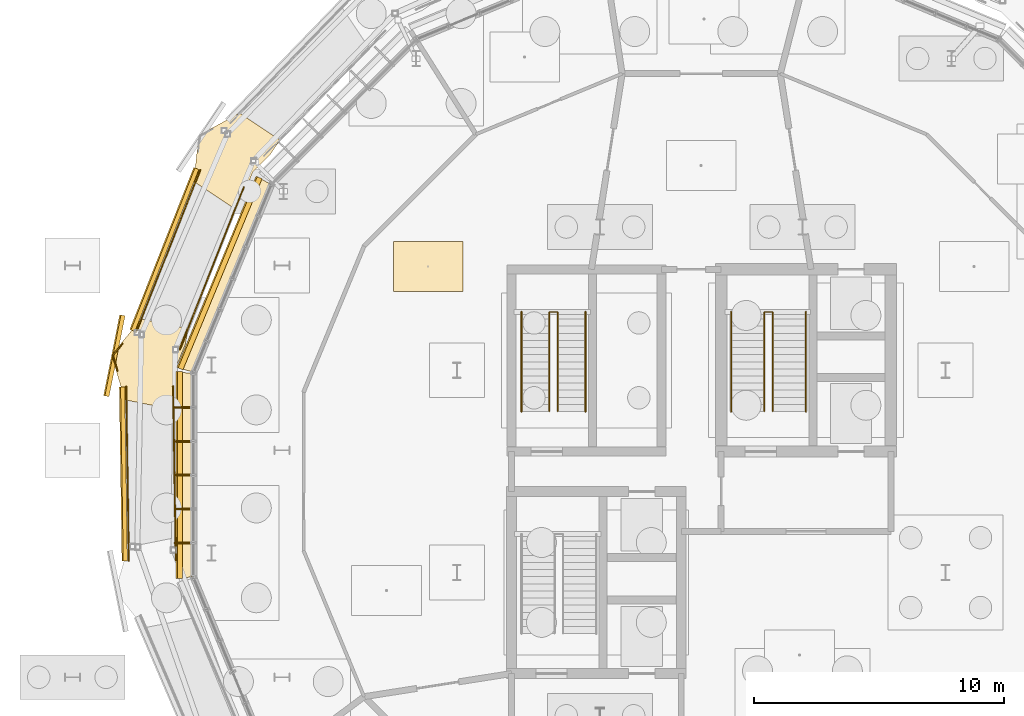
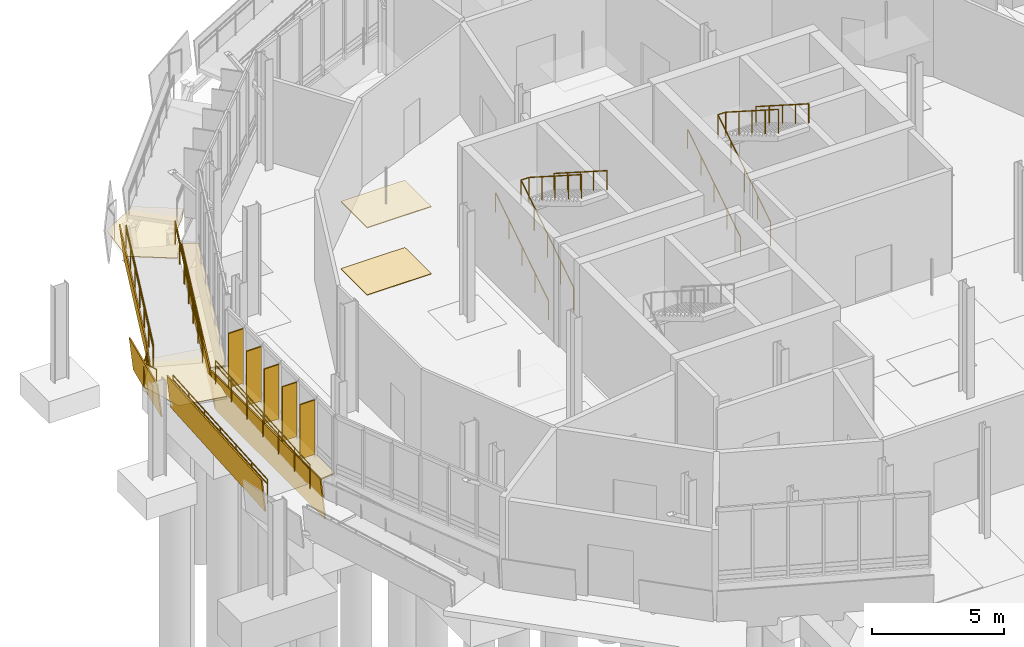
# One storey, part 112 of 119: 16 railings, 11 coverings, 5 shading devices.
"""IFC4 building model written with IfcOpenShell, lengths in metres."""

from ifc_helpers import new_model, si_unit, derived_unit, direction, frame, origin, origin_2d, place, context, subcontext, project, spatial, polyline, rectangle, circle, outline, extrude, material, layer, layer_set, type_object, element, save


model = new_model("IFC4")

# Units and contexts
model_context = context("Model", 3, precision=1e-05, world=origin(), true_north=direction((0.0, 1.0)))
body_context = subcontext(model_context, "Body", "Model", "MODEL_VIEW")
ifc_project = project(units=[si_unit("LENGTHUNIT", "METRE"), si_unit("AREAUNIT", "SQUARE_METRE"), si_unit("VOLUMEUNIT", "CUBIC_METRE"), si_unit("PLANEANGLEUNIT", "RADIAN"), si_unit("MASSUNIT", "GRAM", prefix="KILO"), derived_unit("THERMALTRANSMITTANCEUNIT", [(si_unit("MASSUNIT", "GRAM", prefix="KILO"), 1), (si_unit("TIMEUNIT", "SECOND"), -3), (si_unit("THERMODYNAMICTEMPERATUREUNIT", "KELVIN"), -1)])], contexts=[model_context])

# Site, building, storey
site_placement = place(None, origin())
site = spatial("IfcSite", under=ifc_project, at=site_placement, CompositionType="ELEMENT")
building_placement = place(site_placement, origin())
building = spatial("IfcBuilding", under=site, at=building_placement, Name="Makaiwela Harbour Ferry Terminal", CompositionType="ELEMENT")
storey_placement = place(building_placement, origin())
storey = spatial("IfcBuildingStorey", under=building, at=storey_placement, Name="L00", CompositionType="ELEMENT", Elevation=0.0)

# Coverings
ifc_material_1 = material(Name="White glazed marine ceramic rainscreen tile", Category="masonry")
ifc_layer_1 = layer(ifc_material_1, 0.054931640625)
ifc_layer_set_1 = layer_set([ifc_layer_1], Name="White glazed marine ceramic rainscreen tile")
covering_type_1 = type_object("IfcCoveringType", Name="ENV-CLD-CERAMIC", PredefinedType="CLADDING", material=ifc_layer_set_1)
covering_1_placement = place(storey_placement, frame((20.201416015625, 79.329345703125, -0.3798828125), z_axis=(0.918386678573, -0.380394597045, 0.108930524461), x_axis=(-0.382671736724, -0.923884376918, 0.0)))
element("IfcCovering", 1, at=covering_1_placement, inside=storey, type_object=covering_type_1, Name="Ceramic Spandrel Facet CLD-0011", PredefinedType="CLADDING", context=body_context, shape_type="SweptSolid", body=[
    extrude(outline(polyline([(0.0, 0.0), (8.289400120797556, -5.551115123125783e-17), (8.28948777257081, -1.911275646754667), (8.76517732554562e-05, -1.911275646754667), (0.0, 0.0)])), origin(), (0.0, 0.0, -1.0), 0.054931640625),
])
covering_2_placement = place(storey_placement, frame((0.0, 0.0, 1.47998046875)))
element("IfcCovering", 2, at=covering_2_placement, inside=storey, type_object=covering_type_1, Name="Ceramic Ring Sill Cap CLD-0012", PredefinedType="CLADDING", context=body_context, shape_type="SweptSolid", body=[
    extrude(outline(polyline([(20.009033203125, 79.408935546875), (16.8369140625, 71.75048828125), (17.465087890625, 71.57470703125), (20.57763671875, 79.08935546875), (20.009033203125, 79.408935546875)])), origin(), (0.0, 0.0, 1.0), 0.054931640625),
])
covering_3_placement = place(storey_placement, frame((17.01416015625, 71.5947265625, -0.3798828125), z_axis=(0.994046209643, 0.0, 0.108959318533), x_axis=(0.0, -1.0, 0.0)))
element("IfcCovering", 3, at=covering_3_placement, inside=storey, type_object=covering_type_1, Name="Ceramic Spandrel Facet CLD-0013", PredefinedType="CLADDING", context=body_context, shape_type="SweptSolid", body=[
    extrude(outline(polyline([(0.0, 0.0), (8.289306640625, 0.0), (8.289306640625, -1.91128171439145), (0.0, -1.91128171439145), (0.0, 0.0)])), origin(), (0.0, 0.0, -1.0), 0.054931640625),
])
covering_4_placement = place(storey_placement, frame((0.0, 0.0, 1.47998046875)))
element("IfcCovering", 4, at=covering_4_placement, inside=storey, type_object=covering_type_1, Name="Ceramic Ring Sill Cap CLD-0014", PredefinedType="CLADDING", context=body_context, shape_type="SweptSolid", body=[
    extrude(outline(polyline([(16.805908203125, 71.5947265625), (16.805908203125, 63.305419921875), (17.45361328125, 63.383056640625), (17.45361328125, 71.516845703125), (16.805908203125, 71.5947265625)])), origin(), (0.0, 0.0, 1.0), 0.054931640625),
])
covering_5_placement = place(storey_placement, frame((14.805419921875, 64.015869140625, 0.297607421875), z_axis=(0.993925826883, 0.005171012287, 0.109930483887), x_axis=(-0.015244039289, 0.995735199254, 0.090989187455)))
element("IfcCovering", 5, at=covering_5_placement, inside=storey, type_object=covering_type_1, Name="Coiled Ramp Ceramic Fascia CLD-R0011", PredefinedType="CLADDING", context=body_context, shape_type="SweptSolid", body=[
    extrude(outline(polyline([(0.0, 0.0), (7.005953916289912, 0.0), (7.144388786439108, 1.5229952741954675), (0.1381732782675002, 1.522802729682693), (0.0, 0.0)])), origin(), (0.0, 0.0, -1.0), 0.054931640625),
])
covering_6_placement = place(storey_placement, frame((14.7109375, 73.83251953125, 0.93505859375), z_axis=(0.974847808952, -0.193903350723, 0.109878296131), x_axis=(-0.195084492878, -0.980786439872, -7.88069e-07)))
element("IfcCovering", 6, at=covering_6_placement, inside=storey, type_object=covering_type_1, Name="Coiled Ramp Ceramic Fascia CLD-R0012", PredefinedType="CLADDING", context=body_context, shape_type="SweptSolid", body=[
    extrude(outline(polyline([(0.0, 0.0), (3.300220807507284, 0.0), (3.3000428184428356, -1.5292818589350756), (6.146074997400159e-05, -1.5292766258336519), (0.0, 0.0)])), origin(), (0.0, 0.0, -1.0), 0.054931640625),
])
covering_7_placement = place(storey_placement, frame((15.1025390625, 73.206787109375, 0.93505859375), z_axis=(0.920731218816, -0.374399605922, 0.109904311941), x_axis=(0.365784424676, 0.926244467638, 0.090955708089)))
element("IfcCovering", 7, at=covering_7_placement, inside=storey, type_object=covering_type_1, Name="Coiled Ramp Ceramic Fascia CLD-R0013", PredefinedType="CLADDING", context=body_context, shape_type="SweptSolid", body=[
    extrude(outline(polyline([(0.0, 0.0), (7.008560109233303, 2.220446049250313e-16), (7.146646489266032, 1.5230202552487848), (0.13822321109790445, 1.5230427912760593), (0.0, 0.0)])), origin(), (0.0, 0.0, -1.0), 0.054931640625),
])

# Shading devices
ifc_material_2 = material(Name="Marine anodised aluminium 6063-T6", Category="aluminium")
ifc_layer_2 = layer(ifc_material_2, 0.054931640625)
ifc_layer_set_2 = layer_set([ifc_layer_2], Name="Marine anodised aluminium 6063-T6")
shading_device_type = type_object("IfcShadingDeviceType", Name="ENV-FIN-650", PredefinedType="USERDEFINED", material=ifc_layer_set_2)
for number, where, z_axis, x_axis, name in (
    (8, (17.015380859375, 70.161376953125, 1.613525390625), (0.0, 0.0, 1.0), (-1.0, 0.0, 0.0), "Vertical Solar Fin SFN-0011"),
    (9, (17.015380859375, 68.8056640625, 1.613525390625), (0.0, 0.0, 1.0), (-1.0, 0.0, 0.0), "Vertical Solar Fin SFN-0012"),
    (10, (17.015380859375, 67.449951171875, 1.613525390625), (0.0, 0.0, 1.0), (-1.0, 0.0, 0.0), "Vertical Solar Fin SFN-0013"),
    (11, (17.015380859375, 66.094482421875, 1.613525390625), (0.0, 0.0, 1.0), (-1.0, 0.0, 0.0), "Vertical Solar Fin SFN-0014"),
    (12, (17.015380859375, 64.73876953125, 1.613525390625), (0.0, 0.0, 1.0), (-1.0, 0.0, 0.0), "Vertical Solar Fin SFN-0015"),
):
    element("IfcShadingDevice", number, at=place(storey_placement, frame(where, z_axis=z_axis, x_axis=x_axis)), inside=storey, type_object=shading_device_type, Name=name, ObjectType="SOLAR FIN", PredefinedType="USERDEFINED", context=body_context, shape_type="SweptSolid", body=[
        extrude(rectangle(XDim=0.64990234375, YDim=0.054931640625, at=origin_2d()), origin(), (0.0, 0.0, 1.0), 2.52001953125),
    ])

# Coverings
ifc_material_3 = material(Name="Thermally modified Accoya timber acoustic slat ceiling", Category="wood")
ifc_layer_3 = layer(ifc_material_3, 0.0400390625)
ifc_layer_set_3 = layer_set([ifc_layer_3], Name="Thermally modified Accoya timber acoustic slat ceiling")
covering_type_2 = type_object("IfcCoveringType", Name="INT-COV-CEIL", PredefinedType="CEILING", material=ifc_layer_set_3)
covering_8_placement = place(storey_placement, frame((0.0, 0.0, 3.10009765625)))
element("IfcCovering", 13, at=covering_8_placement, inside=storey, type_object=covering_type_2, Name="Acoustic Timber Ceiling CLG-003", PredefinedType="CEILING", context=body_context, shape_type="SweptSolid", body=[
    extrude(outline(polyline([(25.459228515625, 74.814697265625), (28.25927734375, 74.814697265625), (28.25927734375, 76.814697265625), (25.459228515625, 76.814697265625), (25.459228515625, 74.814697265625)])), origin(), (0.0, 0.0, 1.0), 0.039794921875),
])
ifc_material_4 = material(Name="Honed coral-aggregate epoxy terrazzo flooring", Category="concrete")
ifc_layer_4 = layer(ifc_material_4, 0.02490234375)
ifc_layer_set_4 = layer_set([ifc_layer_4], Name="Honed coral-aggregate epoxy terrazzo flooring")
covering_type_3 = type_object("IfcCoveringType", Name="INT-COV-FLR", PredefinedType="FLOORING", material=ifc_layer_set_4)
covering_9_placement = place(storey_placement, frame((0.0, 0.0, 1.27490234375)))
element("IfcCovering", 14, at=covering_9_placement, inside=storey, type_object=covering_type_3, Name="Ramp Landing Terrazzo RMP-COIL-L00-L2", PredefinedType="FLOORING", context=body_context, shape_type="SweptSolid", body=[
    extrude(outline(polyline([(16.738037109375, 70.76220703125), (16.738037109375, 71.74658203125), (16.738037109375, 71.74658203125), (16.738037109375, 71.746826171875), (16.738037109375, 71.7470703125), (16.73828125, 71.747314453125), (17.11474609375, 72.656494140625), (17.248291015625, 73.32763671875), (15.345703125, 73.706298828125), (14.17041015625, 72.257568359375), (14.701904296875, 70.469482421875), (16.6044921875, 70.091064453125), (16.738037109375, 70.76220703125)])), origin(), (0.0, 0.0, 1.0), 0.025146484375),
])
covering_10_placement = place(storey_placement, frame((0.0, 0.0, 1.91259765625)))
element("IfcCovering", 15, at=covering_10_placement, inside=storey, type_object=covering_type_3, Name="Ramp Landing Terrazzo RMP-COIL-L00-L3", PredefinedType="FLOORING", context=body_context, shape_type="SweptSolid", body=[
    extrude(outline(polyline([(19.462158203125, 78.70751953125), (19.838623046875, 79.616455078125), (19.838623046875, 79.61669921875), (19.838623046875, 79.61669921875), (19.8388671875, 79.616943359375), (19.839111328125, 79.6171875), (20.534912109375, 80.31298828125), (20.9150390625, 80.882080078125), (19.302001953125, 81.9599609375), (17.661865234375, 81.0712890625), (17.468505859375, 79.216064453125), (19.081787109375, 78.13818359375), (19.462158203125, 78.70751953125)])), origin(), (0.0, 0.0, 1.0), 0.02490234375),
])
covering_11_placement = place(storey_placement, origin())
element("IfcCovering", 16, at=covering_11_placement, inside=storey, type_object=covering_type_3, Name="Terrazzo Flooring FLG-003", PredefinedType="FLOORING", context=body_context, shape_type="SweptSolid", body=[
    extrude(outline(polyline([(25.459228515625, 74.814697265625), (28.25927734375, 74.814697265625), (28.25927734375, 76.814697265625), (25.459228515625, 76.814697265625), (25.459228515625, 74.814697265625)])), origin(), (0.0, 0.0, 1.0), 0.02490234375),
])

# Railings
ifc_material_5 = material(Name="Marine grade 316L brushed stainless steel", Category="steel")
railing_type_1 = type_object("IfcRailingType", Name="INT-RL-GRD110", PredefinedType="GUARDRAIL", material=ifc_material_5)
railing_1_placement = place(storey_placement, frame((40.325927734375, 70.0, 0.0)))
element("IfcRailing", 17, at=railing_1_placement, inside=storey, type_object=railing_type_1, Name="Stair well guardrail RL-0001", PredefinedType="GUARDRAIL", context=body_context, shape_type="SweptSolid", body=[
    extrude(circle(Radius=0.02392578125, at=origin_2d()), frame((0.0, 0.0, 1.09619140625), z_axis=(0.0, 0.842611129269, 0.538522501696), x_axis=(-1.0, 0.0, 0.0)), (0.0, 0.0, 1.0), 4.7353515625),
    extrude(circle(Radius=0.02392578125, at=origin_2d()), frame((0.0, 3.989990234375, 3.64599609375), z_axis=(1.0, 0.0, 0.0), x_axis=(0.0, 1.0, 0.0)), (0.0, 0.0, 1.0), 0.340087890625),
    extrude(circle(Radius=0.02392578125, at=origin_2d()), frame((0.340087890625, 3.989990234375, 3.64599609375), z_axis=(0.0, -0.842611129269, 0.538522501696), x_axis=(1.0, 0.0, 0.0)), (0.0, 0.0, 1.0), 4.7353515625),
    extrude(circle(Radius=0.02099609375, at=origin_2d()), origin(), (0.0, 0.0, 1.0), 1.072021484375),
    extrude(circle(Radius=0.02099609375, at=origin_2d()), frame((0.0, 0.99755859375, 0.637451171875)), (0.0, 0.0, 1.0), 1.072021484375),
    extrude(circle(Radius=0.02099609375, at=origin_2d()), frame((0.0, 1.9951171875, 1.27490234375)), (0.0, 0.0, 1.0), 1.072021484375),
    extrude(circle(Radius=0.02099609375, at=origin_2d()), frame((0.0, 2.992431640625, 1.91259765625)), (0.0, 0.0, 1.0), 1.072021484375),
    extrude(circle(Radius=0.02099609375, at=origin_2d()), frame((0.0, 3.989990234375, 2.550048828125)), (0.0, 0.0, 1.0), 1.072021484375),
    extrude(circle(Radius=0.02099609375, at=origin_2d()), frame((0.340087890625, 3.989990234375, 2.550048828125)), (0.0, 0.0, 1.0), 1.072021484375),
    extrude(circle(Radius=0.02099609375, at=origin_2d()), frame((0.340087890625, 2.992431640625, 3.1875)), (0.0, 0.0, 1.0), 1.072021484375),
    extrude(circle(Radius=0.02099609375, at=origin_2d()), frame((0.340087890625, 1.9951171875, 3.8251953125)), (0.0, 0.0, 1.0), 1.072021484375),
    extrude(circle(Radius=0.02099609375, at=origin_2d()), frame((0.340087890625, 0.99755859375, 4.462646484375)), (0.0, 0.0, 1.0), 1.072021484375),
    extrude(circle(Radius=0.02099609375, at=origin_2d()), frame((0.340087890625, 0.0, 5.10009765625)), (0.0, 0.0, 1.0), 1.072021484375),
])
railing_2_placement = place(storey_placement, frame((31.7099609375, 70.0, 0.0)))
element("IfcRailing", 18, at=railing_2_placement, inside=storey, type_object=railing_type_1, Name="Stair well guardrail RL-0041", PredefinedType="GUARDRAIL", context=body_context, shape_type="SweptSolid", body=[
    extrude(circle(Radius=0.02392578125, at=origin_2d()), frame((0.0, 0.0, 1.09619140625), z_axis=(0.0, 0.842611129269, 0.538522501696), x_axis=(-1.0, 0.0, 0.0)), (0.0, 0.0, 1.0), 4.7353515625),
    extrude(circle(Radius=0.02392578125, at=origin_2d()), frame((0.0, 3.989990234375, 3.64599609375), z_axis=(1.0, 0.0, 0.0), x_axis=(0.0, 1.0, 0.0)), (0.0, 0.0, 1.0), 0.340087890625),
    extrude(circle(Radius=0.02392578125, at=origin_2d()), frame((0.340087890625, 3.989990234375, 3.64599609375), z_axis=(0.0, -0.842611129269, 0.538522501696), x_axis=(1.0, 0.0, 0.0)), (0.0, 0.0, 1.0), 4.7353515625),
    extrude(circle(Radius=0.02099609375, at=origin_2d()), origin(), (0.0, 0.0, 1.0), 1.072021484375),
    extrude(circle(Radius=0.02099609375, at=origin_2d()), frame((0.0, 0.99755859375, 0.637451171875)), (0.0, 0.0, 1.0), 1.072021484375),
    extrude(circle(Radius=0.02099609375, at=origin_2d()), frame((0.0, 1.9951171875, 1.27490234375)), (0.0, 0.0, 1.0), 1.072021484375),
    extrude(circle(Radius=0.02099609375, at=origin_2d()), frame((0.0, 2.992431640625, 1.91259765625)), (0.0, 0.0, 1.0), 1.072021484375),
    extrude(circle(Radius=0.02099609375, at=origin_2d()), frame((0.0, 3.989990234375, 2.550048828125)), (0.0, 0.0, 1.0), 1.072021484375),
    extrude(circle(Radius=0.02099609375, at=origin_2d()), frame((0.340087890625, 3.989990234375, 2.550048828125)), (0.0, 0.0, 1.0), 1.072021484375),
    extrude(circle(Radius=0.02099609375, at=origin_2d()), frame((0.340087890625, 2.992431640625, 3.1875)), (0.0, 0.0, 1.0), 1.072021484375),
    extrude(circle(Radius=0.02099609375, at=origin_2d()), frame((0.340087890625, 1.9951171875, 3.8251953125)), (0.0, 0.0, 1.0), 1.072021484375),
    extrude(circle(Radius=0.02099609375, at=origin_2d()), frame((0.340087890625, 0.99755859375, 4.462646484375)), (0.0, 0.0, 1.0), 1.072021484375),
    extrude(circle(Radius=0.02099609375, at=origin_2d()), frame((0.340087890625, 0.0, 5.10009765625)), (0.0, 0.0, 1.0), 1.072021484375),
])
railing_3_placement = place(storey_placement, frame((16.7421875, 64.04541015625, 0.637451171875)))
element("IfcRailing", 19, at=railing_3_placement, inside=storey, type_object=railing_type_1, Name="Ramp guardrail RL-0109", PredefinedType="GUARDRAIL", context=body_context, shape_type="SweptSolid", body=[
    extrude(circle(Radius=0.02392578125, at=origin_2d()), frame((0.0, 0.0, 1.09619140625), z_axis=(-0.015263245378, 0.995735099146, 0.0909870632), x_axis=(-0.999882537397, -0.015326819885, 0.0)), (0.0, 0.0, 1.0), 7.005859375),
    extrude(circle(Radius=0.02099609375, at=origin_2d()), origin(), (0.0, 0.0, 1.0), 1.072021484375),
    extrude(circle(Radius=0.02099609375, at=origin_2d()), frame((-0.017822265625, 1.16259765625, 0.106201171875)), (0.0, 0.0, 1.0), 1.072021484375),
    extrude(circle(Radius=0.02099609375, at=origin_2d()), frame((-0.03564453125, 2.325439453125, 0.21240234375)), (0.0, 0.0, 1.0), 1.072021484375),
    extrude(circle(Radius=0.02099609375, at=origin_2d()), frame((-0.053466796875, 3.488037109375, 0.31884765625)), (0.0, 0.0, 1.0), 1.072021484375),
    extrude(circle(Radius=0.02099609375, at=origin_2d()), frame((-0.0712890625, 4.650634765625, 0.425048828125)), (0.0, 0.0, 1.0), 1.072021484375),
    extrude(circle(Radius=0.02099609375, at=origin_2d()), frame((-0.089111328125, 5.8134765625, 0.53125)), (0.0, 0.0, 1.0), 1.072021484375),
    extrude(circle(Radius=0.02099609375, at=origin_2d()), frame((-0.10693359375, 6.97607421875, 0.637451171875)), (0.0, 0.0, 1.0), 1.072021484375),
])
railing_4_placement = place(storey_placement, frame((14.8623046875, 64.0166015625, 0.637451171875)))
element("IfcRailing", 20, at=railing_4_placement, inside=storey, type_object=railing_type_1, Name="Ramp guardrail RL-0111", PredefinedType="GUARDRAIL", context=body_context, shape_type="SweptSolid", body=[
    extrude(circle(Radius=0.02392578125, at=origin_2d()), frame((0.0, 0.0, 1.09619140625), z_axis=(-0.015227877484, 0.995735924718, 0.090983954486), x_axis=(-0.999883081232, -0.015291300315, 0.0)), (0.0, 0.0, 1.0), 7.006103515625),
    extrude(circle(Radius=0.02099609375, at=origin_2d()), origin(), (0.0, 0.0, 1.0), 1.072021484375),
    extrude(circle(Radius=0.02099609375, at=origin_2d()), frame((-0.017822265625, 1.16259765625, 0.106201171875)), (0.0, 0.0, 1.0), 1.072021484375),
    extrude(circle(Radius=0.02099609375, at=origin_2d()), frame((-0.03564453125, 2.325439453125, 0.21240234375)), (0.0, 0.0, 1.0), 1.072021484375),
    extrude(circle(Radius=0.02099609375, at=origin_2d()), frame((-0.05322265625, 3.48828125, 0.31884765625)), (0.0, 0.0, 1.0), 1.072021484375),
    extrude(circle(Radius=0.02099609375, at=origin_2d()), frame((-0.071044921875, 4.65087890625, 0.425048828125)), (0.0, 0.0, 1.0), 1.072021484375),
    extrude(circle(Radius=0.02099609375, at=origin_2d()), frame((-0.0888671875, 5.8134765625, 0.53125)), (0.0, 0.0, 1.0), 1.072021484375),
    extrude(circle(Radius=0.02099609375, at=origin_2d()), frame((-0.106689453125, 6.976318359375, 0.637451171875)), (0.0, 0.0, 1.0), 1.072021484375),
])
railing_5_placement = place(storey_placement, frame((16.904052734375, 72.495361328125, 1.27490234375)))
element("IfcRailing", 21, at=railing_5_placement, inside=storey, type_object=railing_type_1, Name="Ramp guardrail RL-0113", PredefinedType="GUARDRAIL", context=body_context, shape_type="SweptSolid", body=[
    extrude(circle(Radius=0.02392578125, at=origin_2d()), frame((0.0, 0.0, 1.09619140625), z_axis=(0.365804472158, 0.92623322638, 0.090989551593), x_axis=(-0.930091387607, 0.367328205696, 0.0)), (0.0, 0.0, 1.0), 7.008544921875),
    extrude(circle(Radius=0.02099609375, at=origin_2d()), origin(), (0.0, 0.0, 1.0), 1.072021484375),
    extrude(circle(Radius=0.02099609375, at=origin_2d()), frame((0.42724609375, 1.08203125, 0.106201171875)), (0.0, 0.0, 1.0), 1.072021484375),
    extrude(circle(Radius=0.02099609375, at=origin_2d()), frame((0.8544921875, 2.163818359375, 0.212646484375)), (0.0, 0.0, 1.0), 1.072021484375),
    extrude(circle(Radius=0.02099609375, at=origin_2d()), frame((1.28173828125, 3.24560546875, 0.31884765625)), (0.0, 0.0, 1.0), 1.072021484375),
    extrude(circle(Radius=0.02099609375, at=origin_2d()), frame((1.709228515625, 4.32763671875, 0.425048828125)), (0.0, 0.0, 1.0), 1.072021484375),
    extrude(circle(Radius=0.02099609375, at=origin_2d()), frame((2.136474609375, 5.40966796875, 0.531494140625)), (0.0, 0.0, 1.0), 1.072021484375),
    extrude(circle(Radius=0.02099609375, at=origin_2d()), frame((2.563720703125, 6.491455078125, 0.6376953125)), (0.0, 0.0, 1.0), 1.072021484375),
])
railing_6_placement = place(storey_placement, frame((15.155517578125, 73.18603515625, 1.27490234375)))
element("IfcRailing", 22, at=railing_6_placement, inside=storey, type_object=railing_type_1, Name="Ramp guardrail RL-0115", PredefinedType="GUARDRAIL", context=body_context, shape_type="SweptSolid", body=[
    extrude(circle(Radius=0.02392578125, at=origin_2d()), frame((0.0, 0.0, 1.09619140625), z_axis=(0.365774297778, 0.926245028916, 0.090990711028), x_axis=(-0.930103338248, 0.367297944699, 0.0)), (0.0, 0.0, 1.0), 7.00830078125),
    extrude(circle(Radius=0.02099609375, at=origin_2d()), origin(), (0.0, 0.0, 1.0), 1.072021484375),
    extrude(circle(Radius=0.02099609375, at=origin_2d()), frame((0.42724609375, 1.08203125, 0.106201171875)), (0.0, 0.0, 1.0), 1.072021484375),
    extrude(circle(Radius=0.02099609375, at=origin_2d()), frame((0.8544921875, 2.163818359375, 0.212646484375)), (0.0, 0.0, 1.0), 1.072021484375),
    extrude(circle(Radius=0.02099609375, at=origin_2d()), frame((1.28173828125, 3.24560546875, 0.31884765625)), (0.0, 0.0, 1.0), 1.072021484375),
    extrude(circle(Radius=0.02099609375, at=origin_2d()), frame((1.708984375, 4.32763671875, 0.425048828125)), (0.0, 0.0, 1.0), 1.072021484375),
    extrude(circle(Radius=0.02099609375, at=origin_2d()), frame((2.13623046875, 5.40966796875, 0.531494140625)), (0.0, 0.0, 1.0), 1.072021484375),
    extrude(circle(Radius=0.02099609375, at=origin_2d()), frame((2.5634765625, 6.491455078125, 0.6376953125)), (0.0, 0.0, 1.0), 1.072021484375),
])
railing_7_placement = place(storey_placement, frame((14.22021484375, 72.247802734375, 1.27490234375)))
element("IfcRailing", 23, at=railing_7_placement, inside=storey, type_object=railing_type_1, Name="Deck edge guardrail RL-0245", PredefinedType="GUARDRAIL", context=body_context, shape_type="SweptSolid", body=[
    extrude(circle(Radius=0.02392578125, at=origin_2d()), frame((0.0, 0.0, 1.09619140625), z_axis=(0.630269009734, 0.776376825626, 0.0), x_axis=(-0.776376825626, 0.630269009734, 0.0)), (0.0, 0.0, 1.0), 0.596435546875),
    extrude(circle(Radius=0.02099609375, at=origin_2d()), origin(), (0.0, 0.0, 1.0), 1.072021484375),
    extrude(circle(Radius=0.02099609375, at=origin_2d()), frame((0.3759765625, 0.463134765625, 0.0)), (0.0, 0.0, 1.0), 1.072021484375),
])
railing_8_placement = place(storey_placement, frame((14.402099609375, 71.636474609375, 1.27490234375)))
element("IfcRailing", 24, at=railing_8_placement, inside=storey, type_object=railing_type_1, Name="Deck edge guardrail RL-0246", PredefinedType="GUARDRAIL", context=body_context, shape_type="SweptSolid", body=[
    extrude(circle(Radius=0.02392578125, at=origin_2d()), frame((0.0, 0.0, 1.09619140625), z_axis=(-0.285169871823, 0.958476992006, 0.0), x_axis=(-0.958476992006, -0.285169871823, 0.0)), (0.0, 0.0, 1.0), 0.6376953125),
    extrude(circle(Radius=0.02099609375, at=origin_2d()), origin(), (0.0, 0.0, 1.0), 1.072021484375),
    extrude(circle(Radius=0.02099609375, at=origin_2d()), frame((-0.181884765625, 0.611328125, 0.0)), (0.0, 0.0, 1.0), 1.072021484375),
])
railing_type_2 = type_object("IfcRailingType", Name="INT-RL-HND090", PredefinedType="HANDRAIL", material=ifc_material_5)
railing_9_placement = place(storey_placement, frame((39.0, 70.0, 0.0)))
element("IfcRailing", 25, at=railing_9_placement, inside=storey, type_object=railing_type_2, Name="Stair wall handrail RL-0003", PredefinedType="HANDRAIL", context=body_context, shape_type="SweptSolid", body=[
    extrude(circle(Radius=0.02392578125, at=origin_2d()), frame((0.0, 0.0, 0.89111328125), z_axis=(0.0, 0.842611129269, 0.538522501696), x_axis=(-1.0, 0.0, 0.0)), (0.0, 0.0, 1.0), 4.7353515625),
    extrude(circle(Radius=0.02099609375, at=origin_2d()), origin(), (0.0, 0.0, 1.0), 0.866943359375),
    extrude(circle(Radius=0.02099609375, at=origin_2d()), frame((0.0, 0.99755859375, 0.637451171875)), (0.0, 0.0, 1.0), 0.866943359375),
    extrude(circle(Radius=0.02099609375, at=origin_2d()), frame((0.0, 1.9951171875, 1.27490234375)), (0.0, 0.0, 1.0), 0.866943359375),
    extrude(circle(Radius=0.02099609375, at=origin_2d()), frame((0.0, 2.992431640625, 1.91259765625)), (0.0, 0.0, 1.0), 0.866943359375),
    extrude(circle(Radius=0.02099609375, at=origin_2d()), frame((0.0, 3.989990234375, 2.550048828125)), (0.0, 0.0, 1.0), 0.866943359375),
])
railing_10_placement = place(storey_placement, frame((41.991943359375, 73.989990234375, 2.550048828125)))
element("IfcRailing", 26, at=railing_10_placement, inside=storey, type_object=railing_type_2, Name="Stair upper handrail RL-0004", PredefinedType="HANDRAIL", context=body_context, shape_type="SweptSolid", body=[
    extrude(circle(Radius=0.02392578125, at=origin_2d()), frame((0.0, 0.0, 0.89111328125), z_axis=(0.0, -0.842611129269, 0.538522501696), x_axis=(1.0, 0.0, 0.0)), (0.0, 0.0, 1.0), 4.7353515625),
    extrude(circle(Radius=0.02099609375, at=origin_2d()), origin(), (0.0, 0.0, 1.0), 0.866943359375),
    extrude(circle(Radius=0.02099609375, at=origin_2d()), frame((0.0, -0.99755859375, 0.637451171875)), (0.0, 0.0, 1.0), 0.866943359375),
    extrude(circle(Radius=0.02099609375, at=origin_2d()), frame((0.0, -1.9951171875, 1.27490234375)), (0.0, 0.0, 1.0), 0.866943359375),
    extrude(circle(Radius=0.02099609375, at=origin_2d()), frame((0.0, -2.992431640625, 1.91259765625)), (0.0, 0.0, 1.0), 0.866943359375),
    extrude(circle(Radius=0.02099609375, at=origin_2d()), frame((0.0, -3.989990234375, 2.550048828125)), (0.0, 0.0, 1.0), 0.866943359375),
])
railing_11_placement = place(storey_placement, frame((30.60009765625, 70.0, 0.0)))
element("IfcRailing", 27, at=railing_11_placement, inside=storey, type_object=railing_type_2, Name="Stair wall handrail RL-0043", PredefinedType="HANDRAIL", context=body_context, shape_type="SweptSolid", body=[
    extrude(circle(Radius=0.02392578125, at=origin_2d()), frame((0.0, 0.0, 0.89111328125), z_axis=(0.0, 0.842611129269, 0.538522501696), x_axis=(-1.0, 0.0, 0.0)), (0.0, 0.0, 1.0), 4.7353515625),
    extrude(circle(Radius=0.02099609375, at=origin_2d()), origin(), (0.0, 0.0, 1.0), 0.866943359375),
    extrude(circle(Radius=0.02099609375, at=origin_2d()), frame((0.0, 0.99755859375, 0.637451171875)), (0.0, 0.0, 1.0), 0.866943359375),
    extrude(circle(Radius=0.02099609375, at=origin_2d()), frame((0.0, 1.9951171875, 1.27490234375)), (0.0, 0.0, 1.0), 0.866943359375),
    extrude(circle(Radius=0.02099609375, at=origin_2d()), frame((0.0, 2.992431640625, 1.91259765625)), (0.0, 0.0, 1.0), 0.866943359375),
    extrude(circle(Radius=0.02099609375, at=origin_2d()), frame((0.0, 3.989990234375, 2.550048828125)), (0.0, 0.0, 1.0), 0.866943359375),
])
railing_12_placement = place(storey_placement, frame((33.159912109375, 73.989990234375, 2.550048828125)))
element("IfcRailing", 28, at=railing_12_placement, inside=storey, type_object=railing_type_2, Name="Stair upper handrail RL-0044", PredefinedType="HANDRAIL", context=body_context, shape_type="SweptSolid", body=[
    extrude(circle(Radius=0.02392578125, at=origin_2d()), frame((0.0, 0.0, 0.89111328125), z_axis=(0.0, -0.842611129269, 0.538522501696), x_axis=(1.0, 0.0, 0.0)), (0.0, 0.0, 1.0), 4.7353515625),
    extrude(circle(Radius=0.02099609375, at=origin_2d()), origin(), (0.0, 0.0, 1.0), 0.866943359375),
    extrude(circle(Radius=0.02099609375, at=origin_2d()), frame((0.0, -0.99755859375, 0.637451171875)), (0.0, 0.0, 1.0), 0.866943359375),
    extrude(circle(Radius=0.02099609375, at=origin_2d()), frame((0.0, -1.9951171875, 1.27490234375)), (0.0, 0.0, 1.0), 0.866943359375),
    extrude(circle(Radius=0.02099609375, at=origin_2d()), frame((0.0, -2.992431640625, 1.91259765625)), (0.0, 0.0, 1.0), 0.866943359375),
    extrude(circle(Radius=0.02099609375, at=origin_2d()), frame((0.0, -3.989990234375, 2.550048828125)), (0.0, 0.0, 1.0), 0.866943359375),
])
railing_13_placement = place(storey_placement, frame((16.7421875, 64.04541015625, 0.637451171875)))
element("IfcRailing", 29, at=railing_13_placement, inside=storey, type_object=railing_type_2, Name="Ramp handrail RL-0110", PredefinedType="HANDRAIL", context=body_context, shape_type="SweptSolid", body=[
    extrude(circle(Radius=0.02392578125, at=origin_2d()), frame((0.0, 0.0, 0.89111328125), z_axis=(-0.015263245378, 0.995735099146, 0.0909870632), x_axis=(-0.999882537397, -0.015326819885, 0.0)), (0.0, 0.0, 1.0), 7.005859375),
    extrude(circle(Radius=0.02099609375, at=origin_2d()), origin(), (0.0, 0.0, 1.0), 0.866943359375),
    extrude(circle(Radius=0.02099609375, at=origin_2d()), frame((-0.017822265625, 1.16259765625, 0.106201171875)), (0.0, 0.0, 1.0), 0.866943359375),
    extrude(circle(Radius=0.02099609375, at=origin_2d()), frame((-0.03564453125, 2.325439453125, 0.21240234375)), (0.0, 0.0, 1.0), 0.866943359375),
    extrude(circle(Radius=0.02099609375, at=origin_2d()), frame((-0.053466796875, 3.488037109375, 0.31884765625)), (0.0, 0.0, 1.0), 0.866943359375),
    extrude(circle(Radius=0.02099609375, at=origin_2d()), frame((-0.0712890625, 4.650634765625, 0.425048828125)), (0.0, 0.0, 1.0), 0.866943359375),
    extrude(circle(Radius=0.02099609375, at=origin_2d()), frame((-0.089111328125, 5.8134765625, 0.53125)), (0.0, 0.0, 1.0), 0.866943359375),
    extrude(circle(Radius=0.02099609375, at=origin_2d()), frame((-0.10693359375, 6.97607421875, 0.637451171875)), (0.0, 0.0, 1.0), 0.866943359375),
])
railing_14_placement = place(storey_placement, frame((14.8623046875, 64.0166015625, 0.637451171875)))
element("IfcRailing", 30, at=railing_14_placement, inside=storey, type_object=railing_type_2, Name="Ramp handrail RL-0112", PredefinedType="HANDRAIL", context=body_context, shape_type="SweptSolid", body=[
    extrude(circle(Radius=0.02392578125, at=origin_2d()), frame((0.0, 0.0, 0.89111328125), z_axis=(-0.015227877484, 0.995735924718, 0.090983954486), x_axis=(-0.999883081232, -0.015291300315, 0.0)), (0.0, 0.0, 1.0), 7.006103515625),
    extrude(circle(Radius=0.02099609375, at=origin_2d()), origin(), (0.0, 0.0, 1.0), 0.866943359375),
    extrude(circle(Radius=0.02099609375, at=origin_2d()), frame((-0.017822265625, 1.16259765625, 0.106201171875)), (0.0, 0.0, 1.0), 0.866943359375),
    extrude(circle(Radius=0.02099609375, at=origin_2d()), frame((-0.03564453125, 2.325439453125, 0.21240234375)), (0.0, 0.0, 1.0), 0.866943359375),
    extrude(circle(Radius=0.02099609375, at=origin_2d()), frame((-0.05322265625, 3.48828125, 0.31884765625)), (0.0, 0.0, 1.0), 0.866943359375),
    extrude(circle(Radius=0.02099609375, at=origin_2d()), frame((-0.071044921875, 4.65087890625, 0.425048828125)), (0.0, 0.0, 1.0), 0.866943359375),
    extrude(circle(Radius=0.02099609375, at=origin_2d()), frame((-0.0888671875, 5.8134765625, 0.53125)), (0.0, 0.0, 1.0), 0.866943359375),
    extrude(circle(Radius=0.02099609375, at=origin_2d()), frame((-0.106689453125, 6.976318359375, 0.637451171875)), (0.0, 0.0, 1.0), 0.866943359375),
])
railing_15_placement = place(storey_placement, frame((16.904052734375, 72.495361328125, 1.27490234375)))
element("IfcRailing", 31, at=railing_15_placement, inside=storey, type_object=railing_type_2, Name="Ramp handrail RL-0114", PredefinedType="HANDRAIL", context=body_context, shape_type="SweptSolid", body=[
    extrude(circle(Radius=0.02392578125, at=origin_2d()), frame((0.0, 0.0, 0.89111328125), z_axis=(0.365804472158, 0.92623322638, 0.090989551593), x_axis=(-0.930091387607, 0.367328205696, 0.0)), (0.0, 0.0, 1.0), 7.008544921875),
    extrude(circle(Radius=0.02099609375, at=origin_2d()), origin(), (0.0, 0.0, 1.0), 0.866943359375),
    extrude(circle(Radius=0.02099609375, at=origin_2d()), frame((0.42724609375, 1.08203125, 0.106201171875)), (0.0, 0.0, 1.0), 0.866943359375),
    extrude(circle(Radius=0.02099609375, at=origin_2d()), frame((0.8544921875, 2.163818359375, 0.212646484375)), (0.0, 0.0, 1.0), 0.866943359375),
    extrude(circle(Radius=0.02099609375, at=origin_2d()), frame((1.28173828125, 3.24560546875, 0.31884765625)), (0.0, 0.0, 1.0), 0.866943359375),
    extrude(circle(Radius=0.02099609375, at=origin_2d()), frame((1.709228515625, 4.32763671875, 0.425048828125)), (0.0, 0.0, 1.0), 0.866943359375),
    extrude(circle(Radius=0.02099609375, at=origin_2d()), frame((2.136474609375, 5.40966796875, 0.531494140625)), (0.0, 0.0, 1.0), 0.866943359375),
    extrude(circle(Radius=0.02099609375, at=origin_2d()), frame((2.563720703125, 6.491455078125, 0.6376953125)), (0.0, 0.0, 1.0), 0.866943359375),
])
railing_16_placement = place(storey_placement, frame((15.155517578125, 73.18603515625, 1.27490234375)))
element("IfcRailing", 32, at=railing_16_placement, inside=storey, type_object=railing_type_2, Name="Ramp handrail RL-0116", PredefinedType="HANDRAIL", context=body_context, shape_type="SweptSolid", body=[
    extrude(circle(Radius=0.02392578125, at=origin_2d()), frame((0.0, 0.0, 0.89111328125), z_axis=(0.365774297778, 0.926245028916, 0.090990711028), x_axis=(-0.930103338248, 0.367297944699, 0.0)), (0.0, 0.0, 1.0), 7.00830078125),
    extrude(circle(Radius=0.02099609375, at=origin_2d()), origin(), (0.0, 0.0, 1.0), 0.866943359375),
    extrude(circle(Radius=0.02099609375, at=origin_2d()), frame((0.42724609375, 1.08203125, 0.106201171875)), (0.0, 0.0, 1.0), 0.866943359375),
    extrude(circle(Radius=0.02099609375, at=origin_2d()), frame((0.8544921875, 2.163818359375, 0.212646484375)), (0.0, 0.0, 1.0), 0.866943359375),
    extrude(circle(Radius=0.02099609375, at=origin_2d()), frame((1.28173828125, 3.24560546875, 0.31884765625)), (0.0, 0.0, 1.0), 0.866943359375),
    extrude(circle(Radius=0.02099609375, at=origin_2d()), frame((1.708984375, 4.32763671875, 0.425048828125)), (0.0, 0.0, 1.0), 0.866943359375),
    extrude(circle(Radius=0.02099609375, at=origin_2d()), frame((2.13623046875, 5.40966796875, 0.531494140625)), (0.0, 0.0, 1.0), 0.866943359375),
    extrude(circle(Radius=0.02099609375, at=origin_2d()), frame((2.5634765625, 6.491455078125, 0.6376953125)), (0.0, 0.0, 1.0), 0.866943359375),
])

save(model, "model.ifc")
